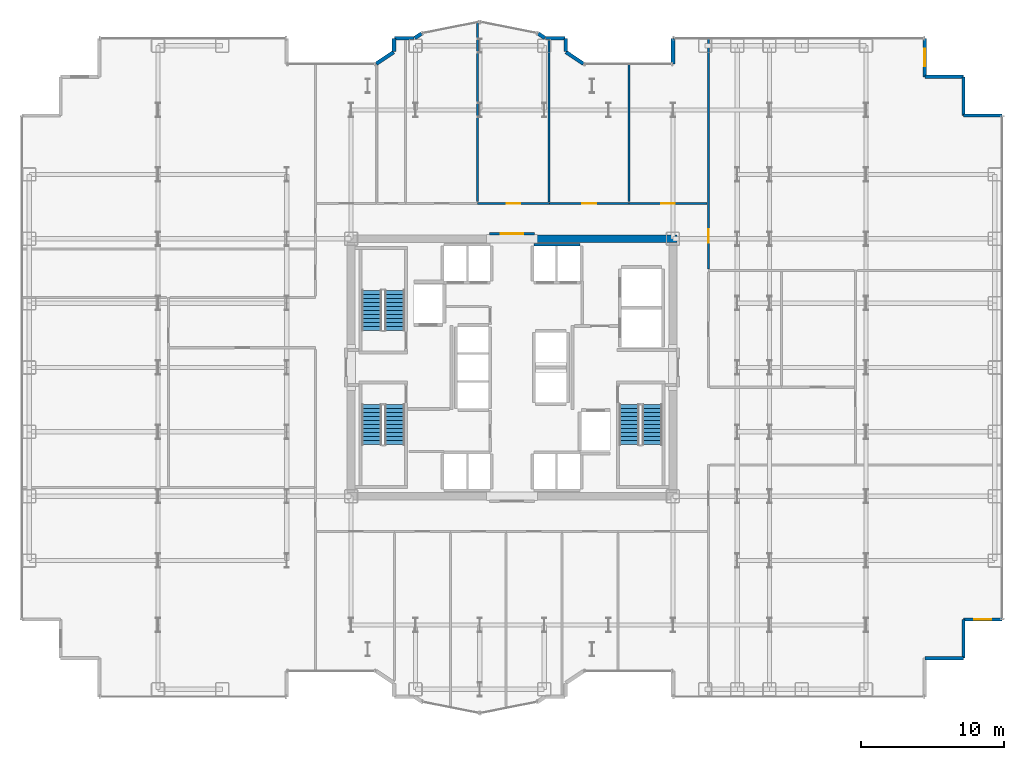
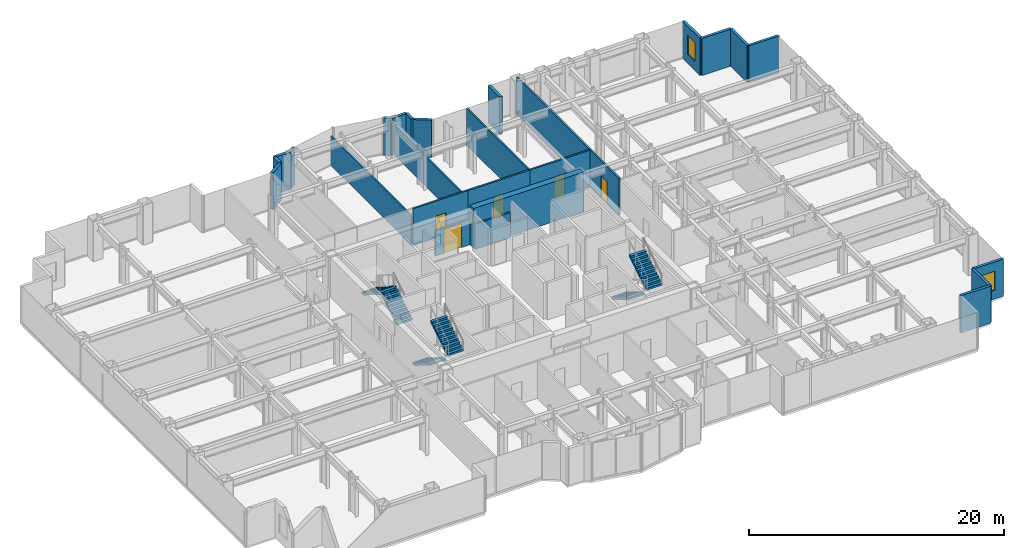
# One storey, part 24 of 25: 26 walls, 6 stair flights, 5 doors, 2 windows, 7 openings, 3 elements without a shape of their own.
"""IFC4 building model written with IfcOpenShell, lengths in metres."""

from ifc_helpers import new_model, si_unit, direction, frame, frame_2d, origin, place, context, subcontext, project, spatial, polyline, rectangle, outline, extrude, source, transform, mapped, material, layer, layer_set, type_object, element, fill, aggregate, save


model = new_model("IFC4")

# Units and contexts
model_context = context("Model", 3, precision=1e-05, world=origin(), true_north=direction((0.0, 1.0)))
body_context = subcontext(model_context, "Body", "Model", "MODEL_VIEW")
ifc_project = project(units=[si_unit("LENGTHUNIT", "METRE"), si_unit("AREAUNIT", "SQUARE_METRE"), si_unit("VOLUMEUNIT", "CUBIC_METRE"), si_unit("PLANEANGLEUNIT", "RADIAN"), si_unit("MASSUNIT", "GRAM", prefix="KILO")], contexts=[model_context])

# Site, building, storey
site_placement = place(None, origin())
site = spatial("IfcSite", under=ifc_project, at=site_placement, CompositionType="ELEMENT")
building_placement = place(site_placement, origin())
building = spatial("IfcBuilding", under=site, at=building_placement, Name="Nefas-Gora Pilgrimage Tower", CompositionType="ELEMENT")
storey_placement = place(building_placement, frame((0.0, 0.0, 98.39990234375)))
storey = spatial("IfcBuildingStorey", under=building, at=storey_placement, Name="L23", CompositionType="ELEMENT", Elevation=98.39990234375)

# Walls
ifc_material_1 = material(Name="Concrete C60/75", Category="concrete")
ifc_layer_1 = layer(ifc_material_1, 0.550048828125)
ifc_layer_set_1 = layer_set([ifc_layer_1], Name="Concrete C60/75")
wall_type_1 = type_object("IfcWallType", Name="SW-CORE-550", PredefinedType="SHEAR", material=ifc_layer_set_1)
shared_shape_1 = source(origin(), body_context, "Body", "SweptSolid", [
    extrude(rectangle(XDim=9.974853515625, YDim=0.550048828125, at=frame_2d((4.9873046875, 0.0))), origin(), (0.0, 0.0, 1.0), 3.800048828125),
])
wall_1_placement = place(storey_placement, frame((1.550048828125, 9.0, 0.0), z_axis=(0.0, 0.0, 1.0), x_axis=(1.0, 0.0, 0.0)))
element("IfcWall", 1, at=wall_1_placement, inside=storey, type_object=wall_type_1, Name="L23 Core Shear Wall N-East", PredefinedType="SHEAR", context=body_context, shape_type="MappedRepresentation", body=[
    mapped(shared_shape_1, transform((0.0, 0.0, 0.0), x_axis=(1.0, 0.0, 0.0), y_axis=(0.0, 1.0, 0.0), z_axis=(0.0, 0.0, 1.0), scale=1.0)),
])
ifc_material_2 = material(Name="Precast concrete C40/50", Category="concrete")
ifc_layer_2 = layer(ifc_material_2, 0.260009765625)
ifc_layer_set_2 = layer_set([ifc_layer_2], Name="Precast concrete C40/50")
wall_type_2 = type_object("IfcWallType", Name="EW-PORTAL-260", PredefinedType="SOLIDWALL", material=ifc_layer_set_2)
shared_shape_2 = source(origin(), body_context, "Body", "SweptSolid", [
    extrude(rectangle(XDim=1.800048828125, YDim=0.260009765625, at=frame_2d((0.89990234375, 0.0))), origin(), (0.0, 0.0, 1.0), 3.550048828125),
])
wall_2_placement = place(storey_placement, frame((11.25, 23.02001953125, 0.0), z_axis=(0.0, 0.0, 1.0), x_axis=(0.0, -1.0, 0.0)))
element("IfcWall", 2, at=wall_2_placement, inside=storey, type_object=wall_type_2, Name="L23 Lobe Shoulder Precast Spandrel Pier 10", PredefinedType="SOLIDWALL", context=body_context, shape_type="MappedRepresentation", body=[
    mapped(shared_shape_2, transform((0.0, 0.0, 0.0), x_axis=(1.0, 0.0, 0.0), y_axis=(0.0, 1.0, 0.0), z_axis=(0.0, 0.0, 1.0), scale=1.0)),
])
ifc_material_3 = material(Name="Precast concrete C45/55", Category="concrete")
ifc_layer_3 = layer(ifc_material_3, 0.239990234375)
ifc_layer_set_3 = layer_set([ifc_layer_3], Name="Precast concrete C45/55")
wall_type_3 = type_object("IfcWallType", Name="EW-SERR-240", PredefinedType="SHEAR", material=ifc_layer_set_3)
shared_shape_3 = source(origin(), body_context, "Body", "SweptSolid", [
    extrude(rectangle(XDim=2.699951171875, YDim=0.239990234375, at=frame_2d((1.35009765625, 0.0))), origin(), (0.0, 0.0, 1.0), 3.550048828125),
])
for number, where, z_axis, x_axis, name in (
    (3, (28.8701171875, -20.320068359375, 0.0), (0.0, 0.0, 1.0), (1.0, 0.0, 0.0), "L23 Serrated Corner Shear Pier Wall 3"),
    (4, (31.570068359375, -20.320068359375, 0.0), (0.0, 0.0, 1.0), (0.0, 1.0, 0.0), "L23 Serrated Corner Shear Pier Wall 4"),
):
    element("IfcWall", number, at=place(storey_placement, frame(where, z_axis=z_axis, x_axis=x_axis)), inside=storey, type_object=wall_type_3, Name=name, PredefinedType="SHEAR", context=body_context, shape_type="MappedRepresentation", body=[
        mapped(shared_shape_3, transform((0.0, 0.0, 0.0), x_axis=(1.0, 0.0, 0.0), y_axis=(0.0, 1.0, 0.0), z_axis=(0.0, 0.0, 1.0), scale=1.0)),
    ])

# Wall, opening, window
wall_3_placement = place(storey_placement, frame((31.570068359375, -17.6201171875, 0.0), z_axis=(0.0, 0.0, 1.0), x_axis=(1.0, 0.0, 0.0)))
wall_3 = element("IfcWall", 5, at=wall_3_placement, inside=storey, type_object=wall_type_3, Name="L23 Serrated Corner Shear Pier Wall 5", PredefinedType="SHEAR", context=body_context, shape_type="MappedRepresentation", body=[
    mapped(shared_shape_3, transform((0.0, 0.0, 0.0), x_axis=(1.0, 0.0, 0.0), y_axis=(0.0, 1.0, 0.0), z_axis=(0.0, 0.0, 1.0), scale=1.0)),
])
opening_1_placement = place(wall_3_placement, frame((0.75, 0.0, 0.85009765625)))
opening_1 = element("IfcOpeningElement", 6, at=opening_1_placement, cuts=wall_3, Name="Opening W-V1", PredefinedType="OPENING", context=body_context, shape_type="SweptSolid", body=[
    extrude(rectangle(XDim=1.199951171875, YDim=1.800048828125, at=frame_2d((0.60009765625, 0.89990234375))), frame((0.0, 0.1298828125, 0.0), z_axis=(0.0, -1.0, 0.0), x_axis=(1.0, 0.0, 0.0)), (0.0, 0.0, 1.0), 0.260009765625),
])
ifc_material_4 = material(Name="Dark ceramic-fritted operable aluminium-glass window", Category="aluminium")
window_type = type_object("IfcWindowType", Name="WIN-VENT-1200x1800", PartitioningType="SINGLE_PANEL", PredefinedType="WINDOW", material=ifc_material_4)
shared_shape_4 = source(origin(), body_context, "Body", "SweptSolid", [
    extrude(rectangle(XDim=1.199951171875, YDim=1.800048828125, at=frame_2d((0.60009765625, 0.89990234375))), frame((0.0, 0.030029296875, 0.0), z_axis=(0.0, -1.0, 0.0), x_axis=(1.0, 0.0, 0.0)), (0.0, 0.0, 1.0), 0.06005859375),
])
window_1_placement = place(opening_1_placement, origin())
window_1 = element("IfcWindow", 7, at=window_1_placement, inside=storey, type_object=window_type, Name="L23 Operable Parallel-Outswing Window 5", OverallHeight=1.800048828125, OverallWidth=1.199951171875, PartitioningType="SINGLE_PANEL", PredefinedType="WINDOW", context=body_context, shape_type="MappedRepresentation", body=[
    mapped(shared_shape_4, transform((0.0, 0.0, 0.0), x_axis=(1.0, 0.0, 0.0), y_axis=(0.0, 1.0, 0.0), z_axis=(0.0, 0.0, 1.0), scale=1.0)),
])
fill(opening_1, window_1)

# Walls
for number, where, z_axis, x_axis, name in (
    (8, (34.27001953125, 17.6201171875, 0.0), (0.0, 0.0, 1.0), (-1.0, 0.0, 0.0), "L23 Serrated Corner Shear Pier Wall 6"),
    (9, (31.570068359375, 17.6201171875, 0.0), (0.0, 0.0, 1.0), (0.0, 1.0, 0.0), "L23 Serrated Corner Shear Pier Wall 7"),
    (10, (31.570068359375, 20.320068359375, 0.0), (0.0, 0.0, 1.0), (-1.0, 0.0, 0.0), "L23 Serrated Corner Shear Pier Wall 8"),
):
    element("IfcWall", number, at=place(storey_placement, frame(where, z_axis=z_axis, x_axis=x_axis)), inside=storey, type_object=wall_type_3, Name=name, PredefinedType="SHEAR", context=body_context, shape_type="MappedRepresentation", body=[
        mapped(shared_shape_3, transform((0.0, 0.0, 0.0), x_axis=(1.0, 0.0, 0.0), y_axis=(0.0, 1.0, 0.0), z_axis=(0.0, 0.0, 1.0), scale=1.0)),
    ])

# Wall, opening, window
wall_4_placement = place(storey_placement, frame((28.8701171875, 20.320068359375, 0.0), z_axis=(0.0, 0.0, 1.0), x_axis=(0.0, 1.0, 0.0)))
wall_4 = element("IfcWall", 11, at=wall_4_placement, inside=storey, type_object=wall_type_3, Name="L23 Serrated Corner Shear Pier Wall 9", PredefinedType="SHEAR", context=body_context, shape_type="MappedRepresentation", body=[
    mapped(shared_shape_3, transform((0.0, 0.0, 0.0), x_axis=(1.0, 0.0, 0.0), y_axis=(0.0, 1.0, 0.0), z_axis=(0.0, 0.0, 1.0), scale=1.0)),
])
opening_2_placement = place(wall_4_placement, frame((0.75, 0.0, 0.85009765625)))
opening_2 = element("IfcOpeningElement", 12, at=opening_2_placement, cuts=wall_4, Name="Opening W-V1", PredefinedType="OPENING", context=body_context, shape_type="SweptSolid", body=[
    extrude(rectangle(XDim=1.199951171875, YDim=1.800048828125, at=frame_2d((0.60009765625, 0.89990234375))), frame((0.0, 0.1298828125, 0.0), z_axis=(0.0, -1.0, 0.0), x_axis=(1.0, 0.0, 0.0)), (0.0, 0.0, 1.0), 0.260009765625),
])
window_2_placement = place(opening_2_placement, origin())
window_2 = element("IfcWindow", 13, at=window_2_placement, inside=storey, type_object=window_type, Name="L23 Operable Parallel-Outswing Window 9", OverallHeight=1.800048828125, OverallWidth=1.199951171875, PartitioningType="SINGLE_PANEL", PredefinedType="WINDOW", context=body_context, shape_type="MappedRepresentation", body=[
    mapped(shared_shape_4, transform((0.0, 0.0, 0.0), x_axis=(1.0, 0.0, 0.0), y_axis=(0.0, 1.0, 0.0), z_axis=(0.0, 0.0, 1.0), scale=1.0)),
])
fill(opening_2, window_2)

# Walls
shared_shape_5 = source(origin(), body_context, "Body", "SweptSolid", [
    extrude(rectangle(XDim=1.468994140625, YDim=0.260009765625, at=frame_2d((0.734375, 0.0))), origin(), (0.0, 0.0, 1.0), 3.550048828125),
])
for number, where, z_axis, x_axis, name in (
    (14, (4.99462890625, 21.235595703125, 0.0), (0.0, 0.0, 1.0), (-0.831461760506, 0.555581983884, 0.0), "L23 Lobe Shoulder Precast Spandrel Pier 11"),
    (15, (-8.273193359375, 22.0517578125, 0.0), (0.0, 0.0, 1.0), (-0.831461760506, -0.555581983884, 0.0), "L23 Lobe Shoulder Precast Spandrel Pier 18"),
):
    element("IfcWall", number, at=place(storey_placement, frame(where, z_axis=z_axis, x_axis=x_axis)), inside=storey, type_object=wall_type_2, Name=name, PredefinedType="SOLIDWALL", context=body_context, shape_type="MappedRepresentation", body=[
        mapped(shared_shape_5, transform((0.0, 0.0, 0.0), x_axis=(1.0, 0.0, 0.0), y_axis=(0.0, 1.0, 0.0), z_axis=(0.0, 0.0, 1.0), scale=1.0)),
    ])
shared_shape_6 = source(origin(), body_context, "Body", "SweptSolid", [
    extrude(rectangle(XDim=0.896728515625, YDim=0.260009765625, at=frame_2d((0.4482421875, 0.0))), origin(), (0.0, 0.0, 1.0), 3.550048828125),
])
for number, where, z_axis, x_axis, name in (
    (16, (3.75, 22.09521484375, 0.0), (0.0, 0.0, 1.0), (0.0, 1.0, 0.0), "L23 Lobe Shoulder Precast Spandrel Pier 12"),
    (17, (-8.25, 22.991943359375, 0.0), (0.0, 0.0, 1.0), (0.0, -1.0, 0.0), "L23 Lobe Shoulder Precast Spandrel Pier 17"),
):
    element("IfcWall", number, at=place(storey_placement, frame(where, z_axis=z_axis, x_axis=x_axis)), inside=storey, type_object=wall_type_2, Name=name, PredefinedType="SOLIDWALL", context=body_context, shape_type="MappedRepresentation", body=[
        mapped(shared_shape_6, transform((0.0, 0.0, 0.0), x_axis=(1.0, 0.0, 0.0), y_axis=(0.0, 1.0, 0.0), z_axis=(0.0, 0.0, 1.0), scale=1.0)),
    ])
shared_shape_7 = source(origin(), body_context, "Body", "SweptSolid", [
    extrude(rectangle(XDim=1.369873046875, YDim=0.260009765625, at=frame_2d((0.68505859375, 0.0))), origin(), (0.0, 0.0, 1.0), 3.550048828125),
])
for number, where, z_axis, x_axis, name in (
    (18, (3.721923828125, 23.02001953125, 0.0), (0.0, 0.0, 1.0), (-1.0, 0.0, 0.0), "L23 Lobe Shoulder Precast Spandrel Pier 13"),
    (19, (-6.85205078125, 23.02001953125, 0.0), (0.0, 0.0, 1.0), (-1.0, 0.0, 0.0), "L23 Lobe Shoulder Precast Spandrel Pier 16"),
):
    element("IfcWall", number, at=place(storey_placement, frame(where, z_axis=z_axis, x_axis=x_axis)), inside=storey, type_object=wall_type_2, Name=name, PredefinedType="SOLIDWALL", context=body_context, shape_type="MappedRepresentation", body=[
        mapped(shared_shape_7, transform((0.0, 0.0, 0.0), x_axis=(1.0, 0.0, 0.0), y_axis=(0.0, 1.0, 0.0), z_axis=(0.0, 0.0, 1.0), scale=1.0)),
    ])
shared_shape_8 = source(origin(), body_context, "Body", "SweptSolid", [
    extrude(rectangle(XDim=0.5654296875, YDim=0.260009765625, at=frame_2d((0.28271484375, 0.0))), origin(), (0.0, 0.0, 1.0), 3.550048828125),
])
for number, where, z_axis, x_axis, name in (
    (20, (2.30078125, 23.03564453125, 0.0), (0.0, 0.0, 1.0), (-0.831651492666, 0.555297933317, 0.0), "L23 Lobe Shoulder Precast Spandrel Pier 14"),
    (21, (-6.33056640625, 23.349609375, 0.0), (0.0, 0.0, 1.0), (-0.831651492666, -0.555297933317, 0.0), "L23 Lobe Shoulder Precast Spandrel Pier 15"),
):
    element("IfcWall", number, at=place(storey_placement, frame(where, z_axis=z_axis, x_axis=x_axis)), inside=storey, type_object=wall_type_2, Name=name, PredefinedType="SOLIDWALL", context=body_context, shape_type="MappedRepresentation", body=[
        mapped(shared_shape_8, transform((0.0, 0.0, 0.0), x_axis=(1.0, 0.0, 0.0), y_axis=(0.0, 1.0, 0.0), z_axis=(0.0, 0.0, 1.0), scale=1.0)),
    ])
ifc_material_5 = material(Name="Gypsum acoustic stud partition")
ifc_layer_4 = layer(ifc_material_5, 0.159912109375)
ifc_layer_set_4 = layer_set([ifc_layer_4], Name="Gypsum acoustic stud partition")
wall_type_4 = type_object("IfcWallType", Name="IW-CORR-160", PredefinedType="PARTITIONING", material=ifc_layer_set_4)
shared_shape_9 = source(origin(), body_context, "Body", "SweptSolid", [
    extrude(rectangle(XDim=3.199951171875, YDim=0.159912109375, at=frame_2d((1.60009765625, 0.0))), origin(), (0.0, 0.0, 1.0), 2.425048828125),
])
wall_5_placement = place(storey_placement, frame((4.75, 8.580078125, 0.0), z_axis=(0.0, 0.0, 1.0), x_axis=(-1.0, 0.0, 0.0)))
element("IfcWall", 22, at=wall_5_placement, inside=storey, type_object=wall_type_4, Name="L23 Hoistway Wall PL1-E-N", PredefinedType="PARTITIONING", context=body_context, shape_type="MappedRepresentation", body=[
    mapped(shared_shape_9, transform((0.0, 0.0, 0.0), x_axis=(1.0, 0.0, 0.0), y_axis=(0.0, 1.0, 0.0), z_axis=(0.0, 0.0, 1.0), scale=1.0)),
])
ifc_material_6 = material(Name="Gypsum twin-stud partition")
ifc_layer_5 = layer(ifc_material_6, 0.139892578125)
ifc_layer_set_5 = layer_set([ifc_layer_5], Name="Gypsum twin-stud partition")
wall_type_5 = type_object("IfcWallType", Name="IW-UNIT-140", PredefinedType="PARTITIONING", material=ifc_layer_set_5)
shared_shape_10 = source(origin(), body_context, "Body", "SweptSolid", [
    extrude(rectangle(XDim=9.64990234375, YDim=0.139892578125, at=frame_2d((4.824951171875, 0.0))), origin(), (0.0, 0.0, 1.0), 3.53515625),
])
wall_6_placement = place(storey_placement, frame((8.195068359375, 11.590087890625, 0.0), z_axis=(0.0, 0.0, 1.0), x_axis=(0.0, 1.0, 0.0)))
element("IfcWall", 23, at=wall_6_placement, inside=storey, type_object=wall_type_5, Name="L23 Pilgrim Contemplative Lounge Partition Wall 49", PredefinedType="PARTITIONING", context=body_context, shape_type="MappedRepresentation", body=[
    mapped(shared_shape_10, transform((0.0, 0.0, 0.0), x_axis=(1.0, 0.0, 0.0), y_axis=(0.0, 1.0, 0.0), z_axis=(0.0, 0.0, 1.0), scale=1.0)),
])

# Wall, opening, door
shared_shape_11 = source(origin(), body_context, "Body", "SweptSolid", [
    extrude(rectangle(XDim=3.16015625, YDim=0.159912109375, at=frame_2d((1.580078125, 0.0))), origin(), (0.0, 0.0, 1.0), 2.425048828125),
])
wall_7_placement = place(storey_placement, frame((-1.580078125, 9.35009765625, 0.0), z_axis=(0.0, 0.0, 1.0), x_axis=(1.0, 0.0, 0.0)))
wall_7 = element("IfcWall", 24, at=wall_7_placement, inside=storey, type_object=wall_type_4, Name="L23 Central Lift Lobby North Portal Wall 13", PredefinedType="PARTITIONING", context=body_context, shape_type="MappedRepresentation", body=[
    mapped(shared_shape_11, transform((0.0, 0.0, 0.0), x_axis=(1.0, 0.0, 0.0), y_axis=(0.0, 1.0, 0.0), z_axis=(0.0, 0.0, 1.0), scale=1.0)),
])
opening_3_placement = place(wall_7_placement, frame((0.780029296875, 0.0, 0.0)))
opening_3 = element("IfcOpeningElement", 25, at=opening_3_placement, cuts=wall_7, Name="Opening ID-HL1", PredefinedType="OPENING", context=body_context, shape_type="SweptSolid", body=[
    extrude(rectangle(XDim=1.60009765625, YDim=2.300048828125, at=frame_2d((0.800048828125, 1.14990234375))), frame((0.0, 0.08984375, 0.0), z_axis=(0.0, -1.0, 0.0), x_axis=(1.0, 0.0, 0.0)), (0.0, 0.0, 1.0), 0.179931640625),
])
ifc_material_7 = material(Name="Double acoustic timber assembly hall door", Category="wood")
door_type_1 = type_object("IfcDoorType", Name="DR-INT-HALL-1600", OperationType="DOUBLE_DOOR_SINGLE_SWING", PredefinedType="DOOR", material=ifc_material_7)
shared_shape_12 = source(origin(), body_context, "Body", "SweptSolid", [
    extrude(rectangle(XDim=1.60009765625, YDim=2.300048828125, at=frame_2d((0.800048828125, 1.14990234375))), frame((0.0, 0.02490234375, 0.0), z_axis=(0.0, -1.0, 0.0), x_axis=(1.0, 0.0, 0.0)), (0.0, 0.0, 1.0), 0.050048828125),
])
door_1_placement = place(opening_3_placement, origin())
door_1 = element("IfcDoor", 26, at=door_1_placement, inside=storey, type_object=door_type_1, Name="L23 Central Lift Lobby North Portal Door 4", OperationType="DOUBLE_DOOR_SINGLE_SWING", OverallHeight=2.300048828125, OverallWidth=1.60009765625, PredefinedType="DOOR", context=body_context, shape_type="MappedRepresentation", body=[
    mapped(shared_shape_12, transform((0.0, 0.0, 0.0), x_axis=(1.0, 0.0, 0.0), y_axis=(0.0, 1.0, 0.0), z_axis=(0.0, 0.0, 1.0), scale=1.0)),
])
fill(opening_3, door_1)

shared_shape_13 = source(origin(), body_context, "Body", "SweptSolid", [
    extrude(rectangle(XDim=16.135009765625, YDim=0.159912109375, at=frame_2d((8.0673828125, 0.0))), origin(), (0.0, 0.0, 1.0), 3.53515625),
])
wall_8_placement = place(storey_placement, frame((13.739990234375, 6.905029296875, 0.0), z_axis=(0.0, 0.0, 1.0), x_axis=(0.0, 1.0, 0.0)))
wall_8 = element("IfcWall", 27, at=wall_8_placement, inside=storey, type_object=wall_type_4, Name="L23 Pilgrim Contemplative Lounge Partition Wall 42", PredefinedType="PARTITIONING", context=body_context, shape_type="MappedRepresentation", body=[
    mapped(shared_shape_13, transform((0.0, 0.0, 0.0), x_axis=(1.0, 0.0, 0.0), y_axis=(0.0, 1.0, 0.0), z_axis=(0.0, 0.0, 1.0), scale=1.0)),
])
opening_4_placement = place(wall_8_placement, frame((1.827392578125, 0.0, 0.0)))
opening_4 = element("IfcOpeningElement", 28, at=opening_4_placement, cuts=wall_8, Name="Opening ID-GR1", PredefinedType="OPENING", context=body_context, shape_type="SweptSolid", body=[
    extrude(rectangle(XDim=0.949951171875, YDim=2.10009765625, at=frame_2d((0.47509765625, 1.050048828125))), frame((0.0, 0.08984375, 0.0), z_axis=(0.0, -1.0, 0.0), x_axis=(1.0, 0.0, 0.0)), (0.0, 0.0, 1.0), 0.179931640625),
])
ifc_material_8 = material(Name="Solid core oak fire-rated guest entrance door")
door_type_2 = type_object("IfcDoorType", Name="DR-INT-GUEST-950", OperationType="NOTDEFINED", PredefinedType="DOOR", material=ifc_material_8)
shared_shape_14 = source(origin(), body_context, "Body", "SweptSolid", [
    extrude(rectangle(XDim=0.949951171875, YDim=2.10009765625, at=frame_2d((0.47509765625, 1.050048828125))), frame((0.0, 0.02490234375, 0.0), z_axis=(0.0, -1.0, 0.0), x_axis=(1.0, 0.0, 0.0)), (0.0, 0.0, 1.0), 0.050048828125),
])
door_2_placement = place(opening_4_placement, origin())
door_2 = element("IfcDoor", 29, at=door_2_placement, inside=storey, type_object=door_type_2, Name="L23 Pilgrim Contemplative Lounge Door 18", OperationType="SINGLE_SWING_LEFT", OverallHeight=2.10009765625, OverallWidth=0.949951171875, PredefinedType="DOOR", context=body_context, shape_type="MappedRepresentation", body=[
    mapped(shared_shape_14, transform((0.0, 0.0, 0.0), x_axis=(1.0, 0.0, 0.0), y_axis=(0.0, 1.0, 0.0), z_axis=(0.0, 0.0, 1.0), scale=1.0)),
])
fill(opening_4, door_2)

# Wall
shared_shape_15 = source(origin(), body_context, "Body", "SweptSolid", [
    extrude(rectangle(XDim=12.57470703125, YDim=0.139892578125, at=frame_2d((6.287353515625, 0.0))), origin(), (0.0, 0.0, 1.0), 2.8251953125),
])
wall_9_placement = place(storey_placement, frame((-2.409912109375, 11.590087890625, 0.0), z_axis=(0.0, 0.0, 1.0), x_axis=(0.0, 1.0, 0.0)))
element("IfcWall", 30, at=wall_9_placement, inside=storey, type_object=wall_type_5, Name="L23 Pilgrim Contemplative Lounge Partition Wall 45", PredefinedType="PARTITIONING", context=body_context, shape_type="MappedRepresentation", body=[
    mapped(shared_shape_15, transform((0.0, 0.0, 0.0), x_axis=(1.0, 0.0, 0.0), y_axis=(0.0, 1.0, 0.0), z_axis=(0.0, 0.0, 1.0), scale=1.0)),
])

# Wall, opening, door
shared_shape_16 = source(origin(), body_context, "Body", "SweptSolid", [
    extrude(rectangle(XDim=5.0048828125, YDim=0.159912109375, at=frame_2d((2.50244140625, 0.0))), origin(), (0.0, 0.0, 1.0), 3.53515625),
])
wall_10_placement = place(storey_placement, frame((-2.39990234375, 11.469970703125, 0.0), z_axis=(0.0, 0.0, 1.0), x_axis=(1.0, 0.0, 0.0)))
wall_10 = element("IfcWall", 31, at=wall_10_placement, inside=storey, type_object=wall_type_4, Name="L23 Pilgrim Contemplative Lounge Partition Wall 46", PredefinedType="PARTITIONING", context=body_context, shape_type="MappedRepresentation", body=[
    mapped(shared_shape_16, transform((0.0, 0.0, 0.0), x_axis=(1.0, 0.0, 0.0), y_axis=(0.0, 1.0, 0.0), z_axis=(0.0, 0.0, 1.0), scale=1.0)),
])
opening_5_placement = place(wall_10_placement, frame((2.027587890625, 0.0, 0.0)))
opening_5 = element("IfcOpeningElement", 32, at=opening_5_placement, cuts=wall_10, Name="Opening ID-GR1", PredefinedType="OPENING", context=body_context, shape_type="SweptSolid", body=[
    extrude(rectangle(XDim=0.949951171875, YDim=2.10009765625, at=frame_2d((0.47509765625, 1.050048828125))), frame((0.0, 0.08984375, 0.0), z_axis=(0.0, -1.0, 0.0), x_axis=(1.0, 0.0, 0.0)), (0.0, 0.0, 1.0), 0.179931640625),
])
door_3_placement = place(opening_5_placement, origin())
door_3 = element("IfcDoor", 33, at=door_3_placement, inside=storey, type_object=door_type_2, Name="L23 Pilgrim Contemplative Lounge Door 21", OperationType="SINGLE_SWING_RIGHT", OverallHeight=2.10009765625, OverallWidth=0.949951171875, PredefinedType="DOOR", context=body_context, shape_type="MappedRepresentation", body=[
    mapped(shared_shape_14, transform((0.0, 0.0, 0.0), x_axis=(1.0, 0.0, 0.0), y_axis=(0.0, 1.0, 0.0), z_axis=(0.0, 0.0, 1.0), scale=1.0)),
])
fill(opening_5, door_3)

# Wall
shared_shape_17 = source(origin(), body_context, "Body", "SweptSolid", [
    extrude(rectangle(XDim=11.260009765625, YDim=0.139892578125, at=frame_2d((5.6298828125, 0.0))), origin(), (0.0, 0.0, 1.0), 2.8251953125),
])
wall_11_placement = place(storey_placement, frame((2.594970703125, 11.590087890625, 0.0), z_axis=(0.0, 0.0, 1.0), x_axis=(0.0, 1.0, 0.0)))
element("IfcWall", 34, at=wall_11_placement, inside=storey, type_object=wall_type_5, Name="L23 Pilgrim Contemplative Lounge Partition Wall 47", PredefinedType="PARTITIONING", context=body_context, shape_type="MappedRepresentation", body=[
    mapped(shared_shape_17, transform((0.0, 0.0, 0.0), x_axis=(1.0, 0.0, 0.0), y_axis=(0.0, 1.0, 0.0), z_axis=(0.0, 0.0, 1.0), scale=1.0)),
])

# Wall, opening, door
shared_shape_18 = source(origin(), body_context, "Body", "SweptSolid", [
    extrude(rectangle(XDim=5.610107421875, YDim=0.159912109375, at=frame_2d((2.80517578125, 0.0))), origin(), (0.0, 0.0, 1.0), 3.53515625),
])
wall_12_placement = place(storey_placement, frame((2.594970703125, 11.469970703125, 0.0), z_axis=(0.0, 0.0, 1.0), x_axis=(1.0, 0.0, 0.0)))
wall_12 = element("IfcWall", 35, at=wall_12_placement, inside=storey, type_object=wall_type_4, Name="L23 Pilgrim Contemplative Lounge Partition Wall 48", PredefinedType="PARTITIONING", context=body_context, shape_type="MappedRepresentation", body=[
    mapped(shared_shape_18, transform((0.0, 0.0, 0.0), x_axis=(1.0, 0.0, 0.0), y_axis=(0.0, 1.0, 0.0), z_axis=(0.0, 0.0, 1.0), scale=1.0)),
])
opening_6_placement = place(wall_12_placement, frame((2.330078125, 0.0, 0.0)))
opening_6 = element("IfcOpeningElement", 36, at=opening_6_placement, cuts=wall_12, Name="Opening ID-GR1", PredefinedType="OPENING", context=body_context, shape_type="SweptSolid", body=[
    extrude(rectangle(XDim=0.949951171875, YDim=2.10009765625, at=frame_2d((0.47509765625, 1.050048828125))), frame((0.0, 0.08984375, 0.0), z_axis=(0.0, -1.0, 0.0), x_axis=(1.0, 0.0, 0.0)), (0.0, 0.0, 1.0), 0.179931640625),
])
door_4_placement = place(opening_6_placement, origin())
door_4 = element("IfcDoor", 37, at=door_4_placement, inside=storey, type_object=door_type_2, Name="L23 Pilgrim Contemplative Lounge Door 22", OperationType="SINGLE_SWING_LEFT", OverallHeight=2.10009765625, OverallWidth=0.949951171875, PredefinedType="DOOR", context=body_context, shape_type="MappedRepresentation", body=[
    mapped(shared_shape_14, transform((0.0, 0.0, 0.0), x_axis=(1.0, 0.0, 0.0), y_axis=(0.0, 1.0, 0.0), z_axis=(0.0, 0.0, 1.0), scale=1.0)),
])
fill(opening_6, door_4)

shared_shape_19 = source(origin(), body_context, "Body", "SweptSolid", [
    extrude(rectangle(XDim=5.425048828125, YDim=0.159912109375, at=frame_2d((2.71240234375, 0.0))), origin(), (0.0, 0.0, 1.0), 3.53515625),
])
wall_13_placement = place(storey_placement, frame((8.195068359375, 11.469970703125, 0.0), z_axis=(0.0, 0.0, 1.0), x_axis=(1.0, 0.0, 0.0)))
wall_13 = element("IfcWall", 38, at=wall_13_placement, inside=storey, type_object=wall_type_4, Name="L23 Pilgrim Contemplative Lounge Partition Wall 50", PredefinedType="PARTITIONING", context=body_context, shape_type="MappedRepresentation", body=[
    mapped(shared_shape_19, transform((0.0, 0.0, 0.0), x_axis=(1.0, 0.0, 0.0), y_axis=(0.0, 1.0, 0.0), z_axis=(0.0, 0.0, 1.0), scale=1.0)),
])
opening_7_placement = place(wall_13_placement, frame((2.237548828125, 0.0, 0.0)))
opening_7 = element("IfcOpeningElement", 39, at=opening_7_placement, cuts=wall_13, Name="Opening ID-GR1", PredefinedType="OPENING", context=body_context, shape_type="SweptSolid", body=[
    extrude(rectangle(XDim=0.949951171875, YDim=2.10009765625, at=frame_2d((0.47509765625, 1.050048828125))), frame((0.0, 0.08984375, 0.0), z_axis=(0.0, -1.0, 0.0), x_axis=(1.0, 0.0, 0.0)), (0.0, 0.0, 1.0), 0.179931640625),
])
door_5_placement = place(opening_7_placement, origin())
door_5 = element("IfcDoor", 40, at=door_5_placement, inside=storey, type_object=door_type_2, Name="L23 Pilgrim Contemplative Lounge Door 23", OperationType="SINGLE_SWING_RIGHT", OverallHeight=2.10009765625, OverallWidth=0.949951171875, PredefinedType="DOOR", context=body_context, shape_type="MappedRepresentation", body=[
    mapped(shared_shape_14, transform((0.0, 0.0, 0.0), x_axis=(1.0, 0.0, 0.0), y_axis=(0.0, 1.0, 0.0), z_axis=(0.0, 0.0, 1.0), scale=1.0)),
])
fill(opening_7, door_5)

# Stair, stair flights
ifc_material_9 = material(Name="Concrete C45/55", Category="concrete")
stair_type = type_object("IfcStairType", Name="STR-1400-R1727", PredefinedType="HALF_TURN_STAIR", material=ifc_material_9)
stair_1_placement = place(storey_placement, origin())
stair_1 = element("IfcStair", 41, at=stair_1_placement, inside=storey, type_object=stair_type, Name="L23 Pressurised Tower Exit Stair ST-01", PredefinedType="HALF_TURN_STAIR")
stair_flight_type = type_object("IfcStairFlightType", Name="STF-1400-R1727", PredefinedType="STRAIGHT", material=ifc_material_9)
shared_shape_20 = source(origin(), body_context, "Body", "SweptSolid", [
    extrude(outline(polyline([(0.0, 0.0), (0.0, 0.172607421875), (0.280029296875, 0.172607421875), (0.280029296875, 0.345458984375), (0.56005859375, 0.345458984375), (0.56005859375, 0.51806640625), (0.840087890625, 0.51806640625), (0.840087890625, 0.69091796875), (1.1201171875, 0.69091796875), (1.1201171875, 0.863525390625), (1.39990234375, 0.863525390625), (1.39990234375, 1.036376953125), (1.679931640625, 1.036376953125), (1.679931640625, 1.208984375), (1.9599609375, 1.208984375), (1.9599609375, 1.3818359375), (2.239990234375, 1.3818359375), (2.239990234375, 1.554443359375), (2.52001953125, 1.554443359375), (2.52001953125, 1.727294921875), (2.800048828125, 1.727294921875), (2.800048828125, 1.89990234375), (2.800048828125, 1.551025390625), (0.285400390625, 0.0), (0.0, 0.0)])), frame((0.0, 0.699951171875, 0.0), z_axis=(0.0, -1.0, 0.0), x_axis=(1.0, 0.0, 0.0)), (0.0, 0.0, 1.0), 1.39990234375),
])
stair_flight_1_placement = place(storey_placement, frame((-8.199951171875, 2.60009765625, 0.0), z_axis=(0.0, 0.0, 1.0), x_axis=(0.0, 1.0, 0.0)))
stair_flight_1 = element("IfcStairFlight", 42, at=stair_flight_1_placement, type_object=stair_flight_type, Name="ST-01 flight 1", NumberOfRisers=11, NumberOfTreads=10, PredefinedType="STRAIGHT", RiserHeight=0.172727273, TreadLength=0.28, context=body_context, shape_type="MappedRepresentation", body=[
    mapped(shared_shape_20, transform((0.0, 0.0, 0.0), x_axis=(1.0, 0.0, 0.0), y_axis=(0.0, 1.0, 0.0), z_axis=(0.0, 0.0, 1.0), scale=1.0)),
])
stair_flight_2_placement = place(storey_placement, frame((-9.800048828125, 5.39990234375, 1.900146484375), z_axis=(0.0, 0.0, 1.0), x_axis=(0.0, -1.0, 0.0)))
stair_flight_2 = element("IfcStairFlight", 43, at=stair_flight_2_placement, type_object=stair_flight_type, Name="ST-01 flight 2", NumberOfRisers=11, NumberOfTreads=10, PredefinedType="STRAIGHT", RiserHeight=0.172727273, TreadLength=0.28, context=body_context, shape_type="MappedRepresentation", body=[
    mapped(shared_shape_20, transform((0.0, 0.0, 0.0), x_axis=(1.0, 0.0, 0.0), y_axis=(0.0, 1.0, 0.0), z_axis=(0.0, 0.0, 1.0), scale=1.0)),
])
aggregate(stair_1, [stair_flight_1, stair_flight_2])

stair_2_placement = place(storey_placement, origin())
stair_2 = element("IfcStair", 44, at=stair_2_placement, inside=storey, type_object=stair_type, Name="L23 Pressurised Tower Exit Stair ST-02", PredefinedType="HALF_TURN_STAIR")
stair_flight_3_placement = place(storey_placement, frame((8.199951171875, -2.60009765625, 0.0), z_axis=(0.0, 0.0, 1.0), x_axis=(0.0, -1.0, 0.0)))
stair_flight_3 = element("IfcStairFlight", 45, at=stair_flight_3_placement, type_object=stair_flight_type, Name="ST-02 flight 1", NumberOfRisers=11, NumberOfTreads=10, PredefinedType="STRAIGHT", RiserHeight=0.172727273, TreadLength=0.28, context=body_context, shape_type="MappedRepresentation", body=[
    mapped(shared_shape_20, transform((0.0, 0.0, 0.0), x_axis=(1.0, 0.0, 0.0), y_axis=(0.0, 1.0, 0.0), z_axis=(0.0, 0.0, 1.0), scale=1.0)),
])
stair_flight_4_placement = place(storey_placement, frame((9.800048828125, -5.39990234375, 1.900146484375), z_axis=(0.0, 0.0, 1.0), x_axis=(0.0, 1.0, 0.0)))
stair_flight_4 = element("IfcStairFlight", 46, at=stair_flight_4_placement, type_object=stair_flight_type, Name="ST-02 flight 2", NumberOfRisers=11, NumberOfTreads=10, PredefinedType="STRAIGHT", RiserHeight=0.172727273, TreadLength=0.28, context=body_context, shape_type="MappedRepresentation", body=[
    mapped(shared_shape_20, transform((0.0, 0.0, 0.0), x_axis=(1.0, 0.0, 0.0), y_axis=(0.0, 1.0, 0.0), z_axis=(0.0, 0.0, 1.0), scale=1.0)),
])
aggregate(stair_2, [stair_flight_3, stair_flight_4])

stair_3_placement = place(storey_placement, origin())
stair_3 = element("IfcStair", 47, at=stair_3_placement, inside=storey, type_object=stair_type, Name="L23 Pressurised Tower Exit Stair ST-03", PredefinedType="HALF_TURN_STAIR")
stair_flight_5_placement = place(storey_placement, frame((-9.800048828125, -2.60009765625, 0.0), z_axis=(0.0, 0.0, 1.0), x_axis=(0.0, -1.0, 0.0)))
stair_flight_5 = element("IfcStairFlight", 48, at=stair_flight_5_placement, type_object=stair_flight_type, Name="ST-03 flight 1", NumberOfRisers=11, NumberOfTreads=10, PredefinedType="STRAIGHT", RiserHeight=0.172727273, TreadLength=0.28, context=body_context, shape_type="MappedRepresentation", body=[
    mapped(shared_shape_20, transform((0.0, 0.0, 0.0), x_axis=(1.0, 0.0, 0.0), y_axis=(0.0, 1.0, 0.0), z_axis=(0.0, 0.0, 1.0), scale=1.0)),
])
stair_flight_6_placement = place(storey_placement, frame((-8.199951171875, -5.39990234375, 1.900146484375), z_axis=(0.0, 0.0, 1.0), x_axis=(0.0, 1.0, 0.0)))
stair_flight_6 = element("IfcStairFlight", 49, at=stair_flight_6_placement, type_object=stair_flight_type, Name="ST-03 flight 2", NumberOfRisers=11, NumberOfTreads=10, PredefinedType="STRAIGHT", RiserHeight=0.172727273, TreadLength=0.28, context=body_context, shape_type="MappedRepresentation", body=[
    mapped(shared_shape_20, transform((0.0, 0.0, 0.0), x_axis=(1.0, 0.0, 0.0), y_axis=(0.0, 1.0, 0.0), z_axis=(0.0, 0.0, 1.0), scale=1.0)),
])
aggregate(stair_3, [stair_flight_5, stair_flight_6])

save(model, "model.ifc")
